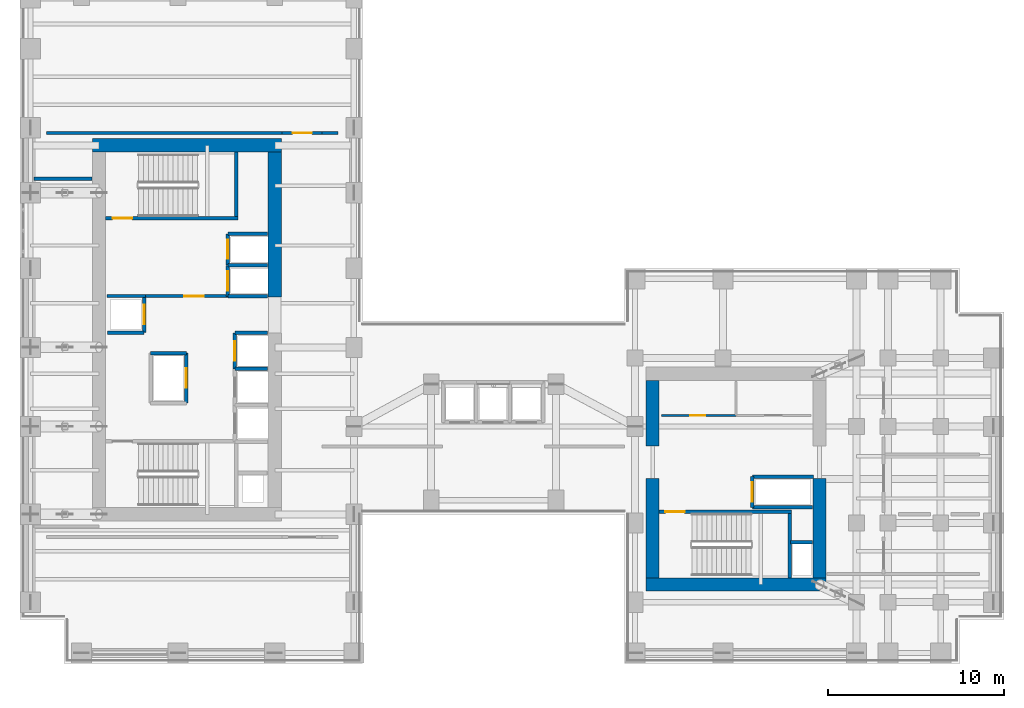
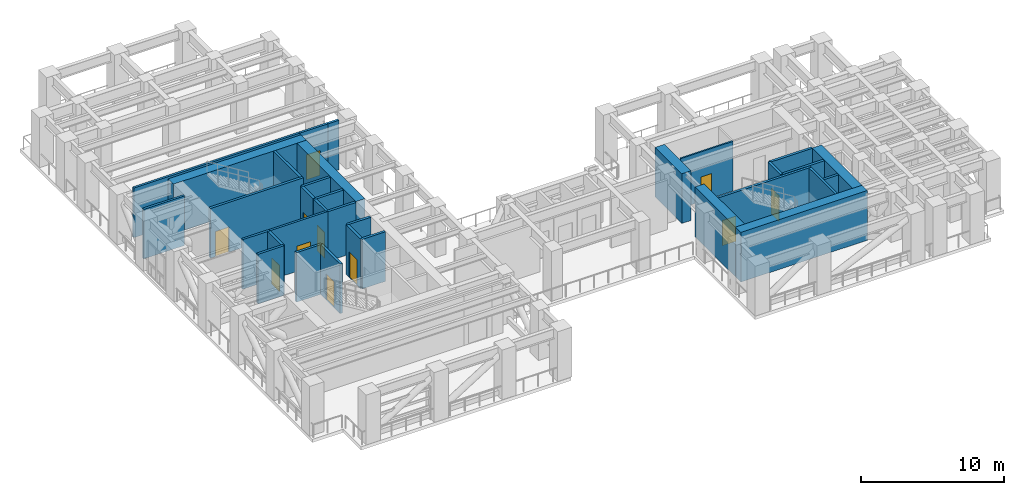
# One storey, part 10 of 16: 33 walls, 11 doors, 11 openings.
"""IFC4 building model written with IfcOpenShell, lengths in metres."""

from ifc_helpers import new_model, si_unit, direction, frame, frame_2d, origin, place, context, subcontext, project, spatial, rectangle, extrude, source, transform, mapped, material, layer, layer_set, type_object, element, fill, save


model = new_model("IFC4")

# Units and contexts
model_context = context("Model", 3, precision=1e-05, world=origin(), true_north=direction((0.0, 1.0)))
body_context = subcontext(model_context, "Body", "Model", "MODEL_VIEW")
ifc_project = project(units=[si_unit("LENGTHUNIT", "METRE"), si_unit("AREAUNIT", "SQUARE_METRE"), si_unit("VOLUMEUNIT", "CUBIC_METRE"), si_unit("PLANEANGLEUNIT", "RADIAN"), si_unit("MASSUNIT", "GRAM", prefix="KILO")], contexts=[model_context])

# Site, building, storey
site_placement = place(None, origin())
site = spatial("IfcSite", under=ifc_project, at=site_placement, CompositionType="ELEMENT")
building_placement = place(site_placement, origin())
building = spatial("IfcBuilding", under=site, at=building_placement, Name="Kharzan Plaza Tower", CompositionType="ELEMENT")
storey_placement = place(building_placement, frame((0.0, 0.0, 138.60009765625)))
storey = spatial("IfcBuildingStorey", under=building, at=storey_placement, Name="L37", CompositionType="ELEMENT", Elevation=138.60009765625)

# Wall, opening, door
ifc_material_1 = material(Name="Concrete C40/50", Category="concrete")
ifc_layer_1 = layer(ifc_material_1, 0.179931640625)
ifc_layer_set_1 = layer_set([ifc_layer_1], Name="Concrete C40/50")
wall_type_1 = type_object("IfcWallType", Name="WL-INT-FIRE-180", PredefinedType="PARTITIONING", material=ifc_layer_set_1)
wall_1_placement = place(storey_placement, frame((7.14990234375, 20.919921875, 0.0), z_axis=(0.0, 0.0, 1.0), x_axis=(1.0, 0.0, 0.0)))
wall_1 = element("IfcWall", 1, at=wall_1_placement, inside=storey, type_object=wall_type_1, Name="L37 Interior Partition CA-FF-S", PredefinedType="PARTITIONING", context=body_context, shape_type="SweptSolid", body=[
    extrude(rectangle(XDim=4.68017578125, YDim=0.179931640625, at=frame_2d((2.340087890625, 0.0))), origin(), (0.0, 0.0, 1.0), 4.244873046875),
])
opening_1_placement = place(wall_1_placement, frame((2.199951171875, 0.0, 0.0)))
opening_1 = element("IfcOpeningElement", 2, at=opening_1_placement, cuts=wall_1, Name="Opening FD1", PredefinedType="OPENING", context=body_context, shape_type="SweptSolid", body=[
    extrude(rectangle(XDim=1.10009765625, YDim=2.14990234375, at=frame_2d((0.550048828125, 1.074951171875))), frame((0.0, 0.099853515625, 0.0), z_axis=(0.0, -1.0, 0.0), x_axis=(1.0, 0.0, 0.0)), (0.0, 0.0, 1.0), 0.199951171875),
])
ifc_material_2 = material(Name="Fire-Rated Acoustic Vision-Panel Steel", Category="steel")
door_type_1 = type_object("IfcDoorType", Name="DR-FIRE-LOBBY", OperationType="NOTDEFINED", PredefinedType="DOOR", material=ifc_material_2)
shared_shape_1 = source(origin(), body_context, "Body", "SweptSolid", [
    extrude(rectangle(XDim=1.10009765625, YDim=2.14990234375, at=frame_2d((0.550048828125, 1.074951171875))), frame((0.0, 0.02490234375, 0.0), z_axis=(0.0, -1.0, 0.0), x_axis=(1.0, 0.0, 0.0)), (0.0, 0.0, 1.0), 0.050048828125),
])
door_1_placement = place(opening_1_placement, origin())
door_1 = element("IfcDoor", 3, at=door_1_placement, inside=storey, type_object=door_type_1, Name="L37 Firefighting Lobby Door", OperationType="SINGLE_SWING_RIGHT", OverallHeight=2.14990234375, OverallWidth=1.10009765625, PredefinedType="DOOR", context=body_context, shape_type="MappedRepresentation", body=[
    mapped(shared_shape_1, transform((0.0, 0.0, 0.0), x_axis=(1.0, 0.0, 0.0), y_axis=(0.0, 1.0, 0.0), z_axis=(0.0, 0.0, 1.0))),
])
fill(opening_1, door_1)

wall_2_placement = place(storey_placement, frame((14.919921875, 30.199951171875, 0.0), z_axis=(0.0, 0.0, 1.0), x_axis=(1.0, 0.0, 0.0)))
wall_2 = element("IfcWall", 4, at=wall_2_placement, inside=storey, type_object=wall_type_1, Name="L37 Interior Partition MR-REFD", PredefinedType="PARTITIONING", context=body_context, shape_type="SweptSolid", body=[
    extrude(rectangle(XDim=2.280029296875, YDim=0.179931640625, at=frame_2d((1.14013671875, 0.0))), origin(), (0.0, 0.0, 1.0), 4.244873046875),
])
opening_2_placement = place(wall_2_placement, frame((0.590087890625, 0.0, 0.0)))
opening_2 = element("IfcOpeningElement", 5, at=opening_2_placement, cuts=wall_2, Name="Opening FD1", PredefinedType="OPENING", context=body_context, shape_type="SweptSolid", body=[
    extrude(rectangle(XDim=1.10009765625, YDim=2.14990234375, at=frame_2d((0.550048828125, 1.074951171875))), frame((0.0, 0.099853515625, 0.0), z_axis=(0.0, -1.0, 0.0), x_axis=(1.0, 0.0, 0.0)), (0.0, 0.0, 1.0), 0.199951171875),
])
door_2_placement = place(opening_2_placement, origin())
door_2 = element("IfcDoor", 6, at=door_2_placement, inside=storey, type_object=door_type_1, Name="L37 Area of Refuge Protected Door", OperationType="SINGLE_SWING_RIGHT", OverallHeight=2.14990234375, OverallWidth=1.10009765625, PredefinedType="DOOR", context=body_context, shape_type="MappedRepresentation", body=[
    mapped(shared_shape_1, transform((0.0, 0.0, 0.0), x_axis=(1.0, 0.0, 0.0), y_axis=(0.0, 1.0, 0.0), z_axis=(0.0, 0.0, 1.0))),
])
fill(opening_2, door_2)

ifc_material_3 = material(Name="Fire-Rated Gypsum Board Partition", Category="gypsum")
ifc_layer_2 = layer(ifc_material_3, 0.125)
ifc_layer_set_2 = layer_set([ifc_layer_2], Name="Fire-Rated Gypsum Board Partition")
wall_type_2 = type_object("IfcWallType", Name="WL-INT-PART-125", PredefinedType="PARTITIONING", material=ifc_layer_set_2)
wall_3_placement = place(storey_placement, frame((36.5, 14.1201171875, 0.0), z_axis=(0.0, 0.0, 1.0), x_axis=(1.0, 0.0, 0.0)))
wall_3 = element("IfcWall", 7, at=wall_3_placement, inside=storey, type_object=wall_type_2, Name="L37 Interior Partition CB-RBLS1", PredefinedType="PARTITIONING", context=body_context, shape_type="SweptSolid", body=[
    extrude(rectangle(XDim=4.25, YDim=0.125, at=frame_2d((2.125, 0.0))), origin(), (0.0, 0.0, 1.0), 4.244873046875),
])
opening_3_placement = place(wall_3_placement, frame((1.64990234375, 0.0, 0.0)))
opening_3 = element("IfcOpeningElement", 8, at=opening_3_placement, cuts=wall_3, Name="Opening RD1", PredefinedType="OPENING", context=body_context, shape_type="SweptSolid", body=[
    extrude(rectangle(XDim=0.85009765625, YDim=2.10009765625, at=frame_2d((0.425048828125, 1.050048828125))), frame((0.0, 0.072509765625, 0.0), z_axis=(0.0, -1.0, 0.0), x_axis=(1.0, 0.0, 0.0)), (0.0, 0.0, 1.0), 0.14501953125),
])
ifc_material_4 = material(Name="Powder-Coated Fire-Rated Steel", Category="steel")
door_type_2 = type_object("IfcDoorType", Name="DR-RISER-900", OperationType="NOTDEFINED", PredefinedType="DOOR", material=ifc_material_4)
shared_shape_2 = source(origin(), body_context, "Body", "SweptSolid", [
    extrude(rectangle(XDim=0.85009765625, YDim=2.10009765625, at=frame_2d((0.425048828125, 1.050048828125))), frame((0.0, 0.02490234375, 0.0), z_axis=(0.0, -1.0, 0.0), x_axis=(1.0, 0.0, 0.0)), (0.0, 0.0, 1.0), 0.050048828125),
])
door_3_placement = place(opening_3_placement, origin())
door_3 = element("IfcDoor", 9, at=door_3_placement, inside=storey, type_object=door_type_2, Name="L37 Archive Room Door", OperationType="SINGLE_SWING_RIGHT", OverallHeight=2.10009765625, OverallWidth=0.85009765625, PredefinedType="DOOR", context=body_context, shape_type="MappedRepresentation", body=[
    mapped(shared_shape_2, transform((0.0, 0.0, 0.0), x_axis=(1.0, 0.0, 0.0), y_axis=(0.0, 1.0, 0.0), z_axis=(0.0, 0.0, 1.0))),
])
fill(opening_3, door_3)

ifc_layer_3 = layer(ifc_material_1, 0.199951171875)
ifc_layer_set_3 = layer_set([ifc_layer_3], Name="Concrete C40/50")
wall_type_3 = type_object("IfcWallType", Name="WL-INT-SHAFT-200", PredefinedType="PARTITIONING", material=ifc_layer_set_3)
wall_4_placement = place(storey_placement, frame((11.830078125, 20.89990234375, 0.0), z_axis=(0.0, 0.0, 1.0), x_axis=(0.0, 1.0, 0.0)))
wall_4 = element("IfcWall", 10, at=wall_4_placement, inside=storey, type_object=wall_type_3, Name="L37 Interior Partition SHF-FFL-1-W", PredefinedType="PARTITIONING", context=body_context, shape_type="SweptSolid", body=[
    extrude(rectangle(XDim=1.760009765625, YDim=0.199951171875, at=frame_2d((0.8798828125, 0.0))), origin(), (0.0, 0.0, 1.0), 4.244873046875),
])
opening_4_placement = place(wall_4_placement, frame((0.330078125, 0.0, 0.0)))
opening_4 = element("IfcOpeningElement", 11, at=opening_4_placement, cuts=wall_4, Name="Opening LD", PredefinedType="OPENING", context=body_context, shape_type="SweptSolid", body=[
    extrude(rectangle(XDim=1.10009765625, YDim=2.199951171875, at=frame_2d((0.550048828125, 1.10009765625))), frame((0.0, 0.10986328125, 0.0), z_axis=(0.0, -1.0, 0.0), x_axis=(1.0, 0.0, 0.0)), (0.0, 0.0, 1.0), 0.219970703125),
])
ifc_material_5 = material(Name="Brushed Stainless Steel", Category="steel")
door_type_3 = type_object("IfcDoorType", Name="DR-LIFT-SLIDE", OperationType="SLIDING_TO_LEFT", PredefinedType="DOOR", material=ifc_material_5)
shared_shape_3 = source(origin(), body_context, "Body", "SweptSolid", [
    extrude(rectangle(XDim=1.10009765625, YDim=2.199951171875, at=frame_2d((0.550048828125, 1.10009765625))), frame((0.0, 0.02490234375, 0.0), z_axis=(0.0, -1.0, 0.0), x_axis=(1.0, 0.0, 0.0)), (0.0, 0.0, 1.0), 0.050048828125),
])
door_4_placement = place(opening_4_placement, origin())
door_4 = element("IfcDoor", 12, at=door_4_placement, inside=storey, type_object=door_type_3, Name="L37 Firefighting Lift FFL-1 Sliding Landing Door", OperationType="SLIDING_TO_LEFT", OverallHeight=2.199951171875, OverallWidth=1.10009765625, PredefinedType="DOOR", context=body_context, shape_type="MappedRepresentation", body=[
    mapped(shared_shape_3, transform((0.0, 0.0, 0.0), x_axis=(1.0, 0.0, 0.0), y_axis=(0.0, 1.0, 0.0), z_axis=(0.0, 0.0, 1.0))),
])
fill(opening_4, door_4)

wall_5_placement = place(storey_placement, frame((11.830078125, 22.699951171875, 0.0), z_axis=(0.0, 0.0, 1.0), x_axis=(0.0, 1.0, 0.0)))
wall_5 = element("IfcWall", 13, at=wall_5_placement, inside=storey, type_object=wall_type_3, Name="L37 Interior Partition SHF-FFL-2-W", PredefinedType="PARTITIONING", context=body_context, shape_type="SweptSolid", body=[
    extrude(rectangle(XDim=1.760009765625, YDim=0.199951171875, at=frame_2d((0.8798828125, 0.0))), origin(), (0.0, 0.0, 1.0), 4.244873046875),
])
opening_5_placement = place(wall_5_placement, frame((0.330078125, 0.0, 0.0)))
opening_5 = element("IfcOpeningElement", 14, at=opening_5_placement, cuts=wall_5, Name="Opening LD", PredefinedType="OPENING", context=body_context, shape_type="SweptSolid", body=[
    extrude(rectangle(XDim=1.10009765625, YDim=2.199951171875, at=frame_2d((0.550048828125, 1.10009765625))), frame((0.0, 0.10986328125, 0.0), z_axis=(0.0, -1.0, 0.0), x_axis=(1.0, 0.0, 0.0)), (0.0, 0.0, 1.0), 0.219970703125),
])
door_5_placement = place(opening_5_placement, origin())
door_5 = element("IfcDoor", 15, at=door_5_placement, inside=storey, type_object=door_type_3, Name="L37 Firefighting Lift FFL-2 Sliding Landing Door", OperationType="SLIDING_TO_LEFT", OverallHeight=2.199951171875, OverallWidth=1.10009765625, PredefinedType="DOOR", context=body_context, shape_type="MappedRepresentation", body=[
    mapped(shared_shape_3, transform((0.0, 0.0, 0.0), x_axis=(1.0, 0.0, 0.0), y_axis=(0.0, 1.0, 0.0), z_axis=(0.0, 0.0, 1.0))),
])
fill(opening_5, door_5)

wall_6_placement = place(storey_placement, frame((12.22998046875, 16.77001953125, 0.0), z_axis=(0.0, 0.0, 1.0), x_axis=(0.0, 1.0, 0.0)))
wall_6 = element("IfcWall", 16, at=wall_6_placement, inside=storey, type_object=wall_type_3, Name="L37 Interior Partition SHF-PL-H3-W", PredefinedType="PARTITIONING", context=body_context, shape_type="SweptSolid", body=[
    extrude(rectangle(XDim=2.050048828125, YDim=0.199951171875, at=frame_2d((1.02490234375, 0.0))), origin(), (0.0, 0.0, 1.0), 4.244873046875),
])
opening_6_placement = place(wall_6_placement, frame((0.47509765625, 0.0, 0.0)))
opening_6 = element("IfcOpeningElement", 17, at=opening_6_placement, cuts=wall_6, Name="Opening LD", PredefinedType="OPENING", context=body_context, shape_type="SweptSolid", body=[
    extrude(rectangle(XDim=1.10009765625, YDim=2.199951171875, at=frame_2d((0.550048828125, 1.10009765625))), frame((0.0, 0.10986328125, 0.0), z_axis=(0.0, -1.0, 0.0), x_axis=(1.0, 0.0, 0.0)), (0.0, 0.0, 1.0), 0.219970703125),
])
door_6_placement = place(opening_6_placement, origin())
door_6 = element("IfcDoor", 18, at=door_6_placement, inside=storey, type_object=door_type_3, Name="L37 High-Rise Passenger Lift PL-H3 Sliding Landing Door", OperationType="SLIDING_TO_LEFT", OverallHeight=2.199951171875, OverallWidth=1.10009765625, PredefinedType="DOOR", context=body_context, shape_type="MappedRepresentation", body=[
    mapped(shared_shape_3, transform((0.0, 0.0, 0.0), x_axis=(1.0, 0.0, 0.0), y_axis=(0.0, 1.0, 0.0), z_axis=(0.0, 0.0, 1.0))),
])
fill(opening_6, door_6)

wall_7_placement = place(storey_placement, frame((7.070068359375, 18.840087890625, 0.0), z_axis=(0.0, 0.0, 1.0), x_axis=(0.0, 1.0, 0.0)))
wall_7 = element("IfcWall", 19, at=wall_7_placement, inside=storey, type_object=wall_type_3, Name="L37 Interior Partition SHF-PL-H4-E", PredefinedType="PARTITIONING", context=body_context, shape_type="SweptSolid", body=[
    extrude(rectangle(XDim=2.059814453125, YDim=0.199951171875, at=frame_2d((1.02978515625, 0.0))), origin(), (0.0, 0.0, 1.0), 4.244873046875),
])
opening_7_placement = place(wall_7_placement, frame((0.47998046875, 0.0, 0.0)))
opening_7 = element("IfcOpeningElement", 20, at=opening_7_placement, cuts=wall_7, Name="Opening LD", PredefinedType="OPENING", context=body_context, shape_type="SweptSolid", body=[
    extrude(rectangle(XDim=1.10009765625, YDim=2.199951171875, at=frame_2d((0.550048828125, 1.10009765625))), frame((0.0, 0.10986328125, 0.0), z_axis=(0.0, -1.0, 0.0), x_axis=(1.0, 0.0, 0.0)), (0.0, 0.0, 1.0), 0.219970703125),
])
door_7_placement = place(opening_7_placement, origin())
door_7 = element("IfcDoor", 21, at=door_7_placement, inside=storey, type_object=door_type_3, Name="L37 High-Rise Passenger Lift PL-H4 Sliding Landing Door", OperationType="SLIDING_TO_LEFT", OverallHeight=2.199951171875, OverallWidth=1.10009765625, PredefinedType="DOOR", context=body_context, shape_type="MappedRepresentation", body=[
    mapped(shared_shape_3, transform((0.0, 0.0, 0.0), x_axis=(1.0, 0.0, 0.0), y_axis=(0.0, 1.0, 0.0), z_axis=(0.0, 0.0, 1.0))),
])
fill(opening_7, door_7)

wall_8_placement = place(storey_placement, frame((9.469970703125, 14.830078125, 0.0), z_axis=(0.0, 0.0, 1.0), x_axis=(0.0, 1.0, 0.0)))
wall_8 = element("IfcWall", 22, at=wall_8_placement, inside=storey, type_object=wall_type_3, Name="L37 Interior Partition SHF-SVL-1-E", PredefinedType="PARTITIONING", context=body_context, shape_type="SweptSolid", body=[
    extrude(rectangle(XDim=2.83984375, YDim=0.199951171875, at=frame_2d((1.419921875, 0.0))), origin(), (0.0, 0.0, 1.0), 4.244873046875),
])
opening_8_placement = place(wall_8_placement, frame((0.8701171875, 0.0, 0.0)))
opening_8 = element("IfcOpeningElement", 23, at=opening_8_placement, cuts=wall_8, Name="Opening LD", PredefinedType="OPENING", context=body_context, shape_type="SweptSolid", body=[
    extrude(rectangle(XDim=1.10009765625, YDim=2.199951171875, at=frame_2d((0.550048828125, 1.10009765625))), frame((0.0, 0.10986328125, 0.0), z_axis=(0.0, -1.0, 0.0), x_axis=(1.0, 0.0, 0.0)), (0.0, 0.0, 1.0), 0.219970703125),
])
door_8_placement = place(opening_8_placement, origin())
door_8 = element("IfcDoor", 24, at=door_8_placement, inside=storey, type_object=door_type_3, Name="L37 Service Lift SVL-1 Sliding Landing Door", OperationType="SLIDING_TO_LEFT", OverallHeight=2.199951171875, OverallWidth=1.10009765625, PredefinedType="DOOR", context=body_context, shape_type="MappedRepresentation", body=[
    mapped(shared_shape_3, transform((0.0, 0.0, 0.0), x_axis=(1.0, 0.0, 0.0), y_axis=(0.0, 1.0, 0.0), z_axis=(0.0, 0.0, 1.0))),
])
fill(opening_8, door_8)

wall_9_placement = place(storey_placement, frame((41.679931640625, 8.89990234375, 0.0), z_axis=(0.0, 0.0, 1.0), x_axis=(0.0, 1.0, 0.0)))
wall_9 = element("IfcWall", 25, at=wall_9_placement, inside=storey, type_object=wall_type_3, Name="L37 Interior Partition SHF-SVL-2-W", PredefinedType="PARTITIONING", context=body_context, shape_type="SweptSolid", body=[
    extrude(rectangle(XDim=1.739990234375, YDim=0.199951171875, at=frame_2d((0.8701171875, 0.0))), origin(), (0.0, 0.0, 1.0), 4.244873046875),
])
opening_9_placement = place(wall_9_placement, frame((0.320068359375, 0.0, 0.0)))
opening_9 = element("IfcOpeningElement", 26, at=opening_9_placement, cuts=wall_9, Name="Opening LD", PredefinedType="OPENING", context=body_context, shape_type="SweptSolid", body=[
    extrude(rectangle(XDim=1.10009765625, YDim=2.199951171875, at=frame_2d((0.550048828125, 1.10009765625))), frame((0.0, 0.10986328125, 0.0), z_axis=(0.0, -1.0, 0.0), x_axis=(1.0, 0.0, 0.0)), (0.0, 0.0, 1.0), 0.219970703125),
])
door_9_placement = place(opening_9_placement, origin())
door_9 = element("IfcDoor", 27, at=door_9_placement, inside=storey, type_object=door_type_3, Name="L37 Service Lift SVL-2 Sliding Landing Door", OperationType="SLIDING_TO_LEFT", OverallHeight=2.199951171875, OverallWidth=1.10009765625, PredefinedType="DOOR", context=body_context, shape_type="MappedRepresentation", body=[
    mapped(shared_shape_3, transform((0.0, 0.0, 0.0), x_axis=(1.0, 0.0, 0.0), y_axis=(0.0, 1.0, 0.0), z_axis=(0.0, 0.0, 1.0))),
])
fill(opening_9, door_9)

ifc_material_6 = material(Name="Concrete C50/60", Category="concrete")
ifc_layer_4 = layer(ifc_material_6, 0.199951171875)
ifc_layer_set_4 = layer_set([ifc_layer_4], Name="Concrete C50/60")
wall_type_4 = type_object("IfcWallType", Name="WL-SHAFT-RC200", PredefinedType="SHEAR", material=ifc_layer_set_4)
wall_10_placement = place(storey_placement, frame((4.876953125, 25.344970703125, 0.0), z_axis=(0.0, 0.0, 1.0), x_axis=(1.0, 0.0, 0.0)))
wall_10 = element("IfcWall", 28, at=wall_10_placement, inside=storey, type_object=wall_type_4, Name="L37 Stair ST-2 South RC Shaft Wall", PredefinedType="SHEAR", context=body_context, shape_type="SweptSolid", body=[
    extrude(rectangle(XDim=7.528076171875, YDim=0.199951171875, at=frame_2d((3.76416015625, 0.0))), origin(), (0.0, 0.0, 1.0), 4.260009765625),
])
opening_10_placement = place(wall_10_placement, frame((0.39990234375, 0.0, 0.0)))
opening_10 = element("IfcOpeningElement", 29, at=opening_10_placement, cuts=wall_10, Name="Opening SD1", PredefinedType="OPENING", context=body_context, shape_type="SweptSolid", body=[
    extrude(rectangle(XDim=1.10009765625, YDim=2.14990234375, at=frame_2d((0.550048828125, 1.074951171875))), frame((0.0, 0.10986328125, 0.0), z_axis=(0.0, -1.0, 0.0), x_axis=(1.0, 0.0, 0.0)), (0.0, 0.0, 1.0), 0.219970703125),
])
ifc_material_7 = material(Name="Fire-Rated Hollow Galvanized Steel", Category="steel")
door_type_4 = type_object("IfcDoorType", Name="DR-STAIR-FD120", OperationType="NOTDEFINED", PredefinedType="DOOR", material=ifc_material_7)
shared_shape_4 = source(origin(), body_context, "Body", "SweptSolid", [
    extrude(rectangle(XDim=1.10009765625, YDim=2.14990234375, at=frame_2d((0.550048828125, 1.074951171875))), frame((0.0, 0.02490234375, 0.0), z_axis=(0.0, -1.0, 0.0), x_axis=(1.0, 0.0, 0.0)), (0.0, 0.0, 1.0), 0.050048828125),
])
door_10_placement = place(opening_10_placement, origin())
door_10 = element("IfcDoor", 30, at=door_10_placement, inside=storey, type_object=door_type_4, Name="L37 Stair ST-2 Fire Exit Door", OperationType="SINGLE_SWING_LEFT", OverallHeight=2.14990234375, OverallWidth=1.10009765625, PredefinedType="DOOR", context=body_context, shape_type="MappedRepresentation", body=[
    mapped(shared_shape_4, transform((0.0, 0.0, 0.0), x_axis=(1.0, 0.0, 0.0), y_axis=(0.0, 1.0, 0.0), z_axis=(0.0, 0.0, 1.0))),
])
fill(opening_10, door_10)

wall_11_placement = place(storey_placement, frame((36.376953125, 8.655029296875, 0.0), z_axis=(0.0, 0.0, 1.0), x_axis=(1.0, 0.0, 0.0)))
wall_11 = element("IfcWall", 31, at=wall_11_placement, inside=storey, type_object=wall_type_4, Name="L37 Stair ST-3 North RC Shaft Wall", PredefinedType="SHEAR", context=body_context, shape_type="SweptSolid", body=[
    extrude(rectangle(XDim=7.528076171875, YDim=0.199951171875, at=frame_2d((3.76416015625, 0.0))), origin(), (0.0, 0.0, 1.0), 4.260009765625),
])
opening_11_placement = place(wall_11_placement, frame((0.35009765625, 0.0, 0.0)))
opening_11 = element("IfcOpeningElement", 32, at=opening_11_placement, cuts=wall_11, Name="Opening SD1", PredefinedType="OPENING", context=body_context, shape_type="SweptSolid", body=[
    extrude(rectangle(XDim=1.10009765625, YDim=2.14990234375, at=frame_2d((0.550048828125, 1.074951171875))), frame((0.0, 0.10986328125, 0.0), z_axis=(0.0, -1.0, 0.0), x_axis=(1.0, 0.0, 0.0)), (0.0, 0.0, 1.0), 0.219970703125),
])
door_11_placement = place(opening_11_placement, origin())
door_11 = element("IfcDoor", 33, at=door_11_placement, inside=storey, type_object=door_type_4, Name="L37 Stair ST-3 Fire Exit Door", OperationType="SINGLE_SWING_LEFT", OverallHeight=2.14990234375, OverallWidth=1.10009765625, PredefinedType="DOOR", context=body_context, shape_type="MappedRepresentation", body=[
    mapped(shared_shape_4, transform((0.0, 0.0, 0.0), x_axis=(1.0, 0.0, 0.0), y_axis=(0.0, 1.0, 0.0), z_axis=(0.0, 0.0, 1.0))),
])
fill(opening_11, door_11)

# Walls
ifc_material_8 = material(Name="Concrete C60/75", Category="concrete")
ifc_layer_5 = layer(ifc_material_8, 0.75)
ifc_layer_set_5 = layer_set([ifc_layer_5], Name="Concrete C60/75")
wall_type_5 = type_object("IfcWallType", Name="WL-CORE-750", PredefinedType="SHEAR", material=ifc_layer_set_5)
shared_shape_5 = source(origin(), body_context, "Body", "SweptSolid", [
    extrude(rectangle(XDim=8.2451171875, YDim=0.75, at=frame_2d((4.12255859375, 0.0))), origin(), (0.0, 0.0, 1.0), 4.260009765625),
])
wall_12_placement = place(storey_placement, frame((14.5, 20.8798828125, 0.0), z_axis=(0.0, 0.0, 1.0), x_axis=(0.0, 1.0, 0.0)))
element("IfcWall", 34, at=wall_12_placement, inside=storey, type_object=wall_type_5, Name="L37 CORE-A east shear pier 2", PredefinedType="SHEAR", context=body_context, shape_type="MappedRepresentation", body=[
    mapped(shared_shape_5, transform((0.0, 0.0, 0.0), x_axis=(1.0, 0.0, 0.0), y_axis=(0.0, 1.0, 0.0), z_axis=(0.0, 0.0, 1.0))),
])
shared_shape_6 = source(origin(), body_context, "Body", "SweptSolid", [
    extrude(rectangle(XDim=10.75, YDim=0.75, at=frame_2d((5.375, 0.0))), origin(), (0.0, 0.0, 1.0), 4.260009765625),
])
wall_13_placement = place(storey_placement, frame((4.125, 29.5, 0.0), z_axis=(0.0, 0.0, 1.0), x_axis=(1.0, 0.0, 0.0)))
element("IfcWall", 35, at=wall_13_placement, inside=storey, type_object=wall_type_5, Name="L37 CORE-A north RC shear wall", PredefinedType="SHEAR", context=body_context, shape_type="MappedRepresentation", body=[
    mapped(shared_shape_6, transform((0.0, 0.0, 0.0), x_axis=(1.0, 0.0, 0.0), y_axis=(0.0, 1.0, 0.0), z_axis=(0.0, 0.0, 1.0))),
])
shared_shape_7 = source(origin(), body_context, "Body", "SweptSolid", [
    extrude(rectangle(XDim=5.675048828125, YDim=0.75, at=frame_2d((2.83740234375, 0.0))), origin(), (0.0, 0.0, 1.0), 4.260009765625),
])
for number, where, z_axis, x_axis, name in (
    (36, (45.5, 4.875, 0.0), (0.0, 0.0, 1.0), (0.0, 1.0, 0.0), "L37 CORE-B east shear pier 1"),
    (37, (36.0, 4.875, 0.0), (0.0, 0.0, 1.0), (0.0, 1.0, 0.0), "L37 CORE-B west shear pier 1"),
):
    element("IfcWall", number, at=place(storey_placement, frame(where, z_axis=z_axis, x_axis=x_axis)), inside=storey, type_object=wall_type_5, Name=name, PredefinedType="SHEAR", context=body_context, shape_type="MappedRepresentation", body=[
        mapped(shared_shape_7, transform((0.0, 0.0, 0.0), x_axis=(1.0, 0.0, 0.0), y_axis=(0.0, 1.0, 0.0), z_axis=(0.0, 0.0, 1.0))),
    ])
shared_shape_8 = source(origin(), body_context, "Body", "SweptSolid", [
    extrude(rectangle(XDim=3.72509765625, YDim=0.75, at=frame_2d((1.862548828125, 0.0))), origin(), (0.0, 0.0, 1.0), 4.260009765625),
])
wall_14_placement = place(storey_placement, frame((36.0, 12.39990234375, 0.0), z_axis=(0.0, 0.0, 1.0), x_axis=(0.0, 1.0, 0.0)))
element("IfcWall", 38, at=wall_14_placement, inside=storey, type_object=wall_type_5, Name="L37 CORE-B west shear pier 2", PredefinedType="SHEAR", context=body_context, shape_type="MappedRepresentation", body=[
    mapped(shared_shape_8, transform((0.0, 0.0, 0.0), x_axis=(1.0, 0.0, 0.0), y_axis=(0.0, 1.0, 0.0), z_axis=(0.0, 0.0, 1.0))),
])
shared_shape_9 = source(origin(), body_context, "Body", "SweptSolid", [
    extrude(rectangle(XDim=10.25, YDim=0.75, at=frame_2d((5.125, 0.0))), origin(), (0.0, 0.0, 1.0), 4.260009765625),
])
wall_15_placement = place(storey_placement, frame((35.625, 4.5, 0.0), z_axis=(0.0, 0.0, 1.0), x_axis=(1.0, 0.0, 0.0)))
element("IfcWall", 39, at=wall_15_placement, inside=storey, type_object=wall_type_5, Name="L37 CORE-B south RC shear wall", PredefinedType="SHEAR", context=body_context, shape_type="MappedRepresentation", body=[
    mapped(shared_shape_9, transform((0.0, 0.0, 0.0), x_axis=(1.0, 0.0, 0.0), y_axis=(0.0, 1.0, 0.0), z_axis=(0.0, 0.0, 1.0))),
])
shared_shape_10 = source(origin(), body_context, "Body", "SweptSolid", [
    extrude(rectangle(XDim=2.199951171875, YDim=0.179931640625, at=frame_2d((1.10009765625, 0.0))), origin(), (0.0, 0.0, 1.0), 4.244873046875),
])
wall_16_placement = place(storey_placement, frame((4.949951171875, 20.919921875, 0.0), z_axis=(0.0, 0.0, 1.0), x_axis=(1.0, 0.0, 0.0)))
element("IfcWall", 40, at=wall_16_placement, inside=storey, type_object=wall_type_1, Name="L37 Interior Partition CA-FF-SW", PredefinedType="PARTITIONING", context=body_context, shape_type="MappedRepresentation", body=[
    mapped(shared_shape_10, transform((0.0, 0.0, 0.0), x_axis=(1.0, 0.0, 0.0), y_axis=(0.0, 1.0, 0.0), z_axis=(0.0, 0.0, 1.0))),
])
shared_shape_11 = source(origin(), body_context, "Body", "SweptSolid", [
    extrude(rectangle(XDim=13.419921875, YDim=0.179931640625, at=frame_2d((6.7099609375, 0.0))), origin(), (0.0, 0.0, 1.0), 4.244873046875),
])
wall_17_placement = place(storey_placement, frame((1.5, 30.199951171875, 0.0), z_axis=(0.0, 0.0, 1.0), x_axis=(1.0, 0.0, 0.0)))
element("IfcWall", 41, at=wall_17_placement, inside=storey, type_object=wall_type_1, Name="L37 Interior Partition MR-REFW", PredefinedType="PARTITIONING", context=body_context, shape_type="MappedRepresentation", body=[
    mapped(shared_shape_11, transform((0.0, 0.0, 0.0), x_axis=(1.0, 0.0, 0.0), y_axis=(0.0, 1.0, 0.0), z_axis=(0.0, 0.0, 1.0))),
])
shared_shape_12 = source(origin(), body_context, "Body", "SweptSolid", [
    extrude(rectangle(XDim=0.900146484375, YDim=0.179931640625, at=frame_2d((0.4501953125, 0.0))), origin(), (0.0, 0.0, 1.0), 4.244873046875),
])
wall_18_placement = place(storey_placement, frame((17.199951171875, 30.199951171875, 0.0), z_axis=(0.0, 0.0, 1.0), x_axis=(1.0, 0.0, 0.0)))
element("IfcWall", 42, at=wall_18_placement, inside=storey, type_object=wall_type_1, Name="L37 Interior Partition MR-REFWE", PredefinedType="PARTITIONING", context=body_context, shape_type="MappedRepresentation", body=[
    mapped(shared_shape_12, transform((0.0, 0.0, 0.0), x_axis=(1.0, 0.0, 0.0), y_axis=(0.0, 1.0, 0.0), z_axis=(0.0, 0.0, 1.0))),
])
shared_shape_13 = source(origin(), body_context, "Body", "SweptSolid", [
    extrude(rectangle(XDim=3.294921875, YDim=0.179931640625, at=frame_2d((1.6474609375, 0.0))), origin(), (0.0, 0.0, 1.0), 4.244873046875),
])
wall_19_placement = place(storey_placement, frame((0.800048828125, 27.60009765625, 0.0), z_axis=(0.0, 0.0, 1.0), x_axis=(1.0, 0.0, 0.0)))
element("IfcWall", 43, at=wall_19_placement, inside=storey, type_object=wall_type_1, Name="L37 Interior Partition MR-OTWN", PredefinedType="PARTITIONING", context=body_context, shape_type="MappedRepresentation", body=[
    mapped(shared_shape_13, transform((0.0, 0.0, 0.0), x_axis=(1.0, 0.0, 0.0), y_axis=(0.0, 1.0, 0.0), z_axis=(0.0, 0.0, 1.0))),
])
shared_shape_14 = source(origin(), body_context, "Body", "SweptSolid", [
    extrude(rectangle(XDim=1.244873046875, YDim=0.199951171875, at=frame_2d((0.62255859375, 0.0))), origin(), (0.0, 0.0, 1.0), 4.244873046875),
])
wall_20_placement = place(storey_placement, frame((43.85009765625, 6.89990234375, 0.0), z_axis=(0.0, 0.0, 1.0), x_axis=(1.0, 0.0, 0.0)))
element("IfcWall", 44, at=wall_20_placement, inside=storey, type_object=wall_type_3, Name="L37 Interior Partition CB-RSRB-N", PredefinedType="PARTITIONING", context=body_context, shape_type="MappedRepresentation", body=[
    mapped(shared_shape_14, transform((0.0, 0.0, 0.0), x_axis=(1.0, 0.0, 0.0), y_axis=(0.0, 1.0, 0.0), z_axis=(0.0, 0.0, 1.0))),
])
shared_shape_15 = source(origin(), body_context, "Body", "SweptSolid", [
    extrude(rectangle(XDim=2.264892578125, YDim=0.199951171875, at=frame_2d((1.13232421875, 0.0))), origin(), (0.0, 0.0, 1.0), 4.244873046875),
])
for number, where, z_axis, x_axis, name in (
    (45, (11.830078125, 22.659912109375, 0.0), (0.0, 0.0, 1.0), (1.0, 0.0, 0.0), "L37 Interior Partition SHF-FFL-1-N"),
    (46, (11.830078125, 20.89990234375, 0.0), (0.0, 0.0, 1.0), (1.0, 0.0, 0.0), "L37 Interior Partition SHF-FFL-1-S"),
    (47, (11.830078125, 24.4599609375, 0.0), (0.0, 0.0, 1.0), (1.0, 0.0, 0.0), "L37 Interior Partition SHF-FFL-2-N"),
):
    element("IfcWall", number, at=place(storey_placement, frame(where, z_axis=z_axis, x_axis=x_axis)), inside=storey, type_object=wall_type_3, Name=name, PredefinedType="PARTITIONING", context=body_context, shape_type="MappedRepresentation", body=[
        mapped(shared_shape_15, transform((0.0, 0.0, 0.0), x_axis=(1.0, 0.0, 0.0), y_axis=(0.0, 1.0, 0.0), z_axis=(0.0, 0.0, 1.0))),
    ])
shared_shape_16 = source(origin(), body_context, "Body", "SweptSolid", [
    extrude(rectangle(XDim=1.864990234375, YDim=0.199951171875, at=frame_2d((0.9326171875, 0.0))), origin(), (0.0, 0.0, 1.0), 4.244873046875),
])
for number, where, z_axis, x_axis, name in (
    (48, (12.22998046875, 16.77001953125, 0.0), (0.0, 0.0, 1.0), (1.0, 0.0, 0.0), "L37 Interior Partition SHF-PL-H2-N"),
    (49, (12.22998046875, 18.820068359375, 0.0), (0.0, 0.0, 1.0), (1.0, 0.0, 0.0), "L37 Interior Partition SHF-PL-H3-N"),
):
    element("IfcWall", number, at=place(storey_placement, frame(where, z_axis=z_axis, x_axis=x_axis)), inside=storey, type_object=wall_type_3, Name=name, PredefinedType="PARTITIONING", context=body_context, shape_type="MappedRepresentation", body=[
        mapped(shared_shape_16, transform((0.0, 0.0, 0.0), x_axis=(1.0, 0.0, 0.0), y_axis=(0.0, 1.0, 0.0), z_axis=(0.0, 0.0, 1.0))),
    ])
shared_shape_17 = source(origin(), body_context, "Body", "SweptSolid", [
    extrude(rectangle(XDim=2.090087890625, YDim=0.199951171875, at=frame_2d((1.044921875, 0.0))), origin(), (0.0, 0.0, 1.0), 4.244873046875),
])
wall_21_placement = place(storey_placement, frame((4.97998046875, 18.840087890625, 0.0), z_axis=(0.0, 0.0, 1.0), x_axis=(1.0, 0.0, 0.0)))
element("IfcWall", 50, at=wall_21_placement, inside=storey, type_object=wall_type_3, Name="L37 Interior Partition SHF-PL-H4-S", PredefinedType="PARTITIONING", context=body_context, shape_type="MappedRepresentation", body=[
    mapped(shared_shape_17, transform((0.0, 0.0, 0.0), x_axis=(1.0, 0.0, 0.0), y_axis=(0.0, 1.0, 0.0), z_axis=(0.0, 0.0, 1.0))),
])
shared_shape_18 = source(origin(), body_context, "Body", "SweptSolid", [
    extrude(rectangle(XDim=2.0400390625, YDim=0.199951171875, at=frame_2d((1.02001953125, 0.0))), origin(), (0.0, 0.0, 1.0), 4.244873046875),
])
wall_22_placement = place(storey_placement, frame((7.429931640625, 17.669921875, 0.0), z_axis=(0.0, 0.0, 1.0), x_axis=(1.0, 0.0, 0.0)))
element("IfcWall", 51, at=wall_22_placement, inside=storey, type_object=wall_type_3, Name="L37 Interior Partition SHF-SVL-1-N", PredefinedType="PARTITIONING", context=body_context, shape_type="MappedRepresentation", body=[
    mapped(shared_shape_18, transform((0.0, 0.0, 0.0), x_axis=(1.0, 0.0, 0.0), y_axis=(0.0, 1.0, 0.0), z_axis=(0.0, 0.0, 1.0))),
])
shared_shape_19 = source(origin(), body_context, "Body", "SweptSolid", [
    extrude(rectangle(XDim=3.489990234375, YDim=0.199951171875, at=frame_2d((1.7451171875, 0.0))), origin(), (0.0, 0.0, 1.0), 4.244873046875),
])
wall_23_placement = place(storey_placement, frame((41.679931640625, 10.639892578125, 0.0), z_axis=(0.0, 0.0, 1.0), x_axis=(1.0, 0.0, 0.0)))
element("IfcWall", 52, at=wall_23_placement, inside=storey, type_object=wall_type_3, Name="L37 Interior Partition SHF-SVL-2-N", PredefinedType="PARTITIONING", context=body_context, shape_type="MappedRepresentation", body=[
    mapped(shared_shape_19, transform((0.0, 0.0, 0.0), x_axis=(1.0, 0.0, 0.0), y_axis=(0.0, 1.0, 0.0), z_axis=(0.0, 0.0, 1.0))),
])
shared_shape_20 = source(origin(), body_context, "Body", "SweptSolid", [
    extrude(rectangle(XDim=3.4150390625, YDim=0.199951171875, at=frame_2d((1.70751953125, 0.0))), origin(), (0.0, 0.0, 1.0), 4.244873046875),
])
wall_24_placement = place(storey_placement, frame((41.679931640625, 8.89990234375, 0.0), z_axis=(0.0, 0.0, 1.0), x_axis=(1.0, 0.0, 0.0)))
element("IfcWall", 53, at=wall_24_placement, inside=storey, type_object=wall_type_3, Name="L37 Interior Partition SHF-SVL-2-S", PredefinedType="PARTITIONING", context=body_context, shape_type="MappedRepresentation", body=[
    mapped(shared_shape_20, transform((0.0, 0.0, 0.0), x_axis=(1.0, 0.0, 0.0), y_axis=(0.0, 1.0, 0.0), z_axis=(0.0, 0.0, 1.0))),
])
shared_shape_21 = source(origin(), body_context, "Body", "SweptSolid", [
    extrude(rectangle(XDim=3.677978515625, YDim=0.199951171875, at=frame_2d((1.8388671875, 0.0))), origin(), (0.0, 0.0, 1.0), 4.260009765625),
])
for number, where, z_axis, x_axis, name in (
    (54, (12.304931640625, 25.445068359375, 0.0), (0.0, 0.0, 1.0), (0.0, 1.0, 0.0), "L37 Stair ST-2 East RC Shaft Wall"),
    (55, (43.804931640625, 4.876953125, 0.0), (0.0, 0.0, 1.0), (0.0, 1.0, 0.0), "L37 Stair ST-3 East RC Shaft Wall"),
):
    element("IfcWall", number, at=place(storey_placement, frame(where, z_axis=z_axis, x_axis=x_axis)), inside=storey, type_object=wall_type_4, Name=name, PredefinedType="SHEAR", context=body_context, shape_type="MappedRepresentation", body=[
        mapped(shared_shape_21, transform((0.0, 0.0, 0.0), x_axis=(1.0, 0.0, 0.0), y_axis=(0.0, 1.0, 0.0), z_axis=(0.0, 0.0, 1.0))),
    ])

save(model, "model.ifc")
